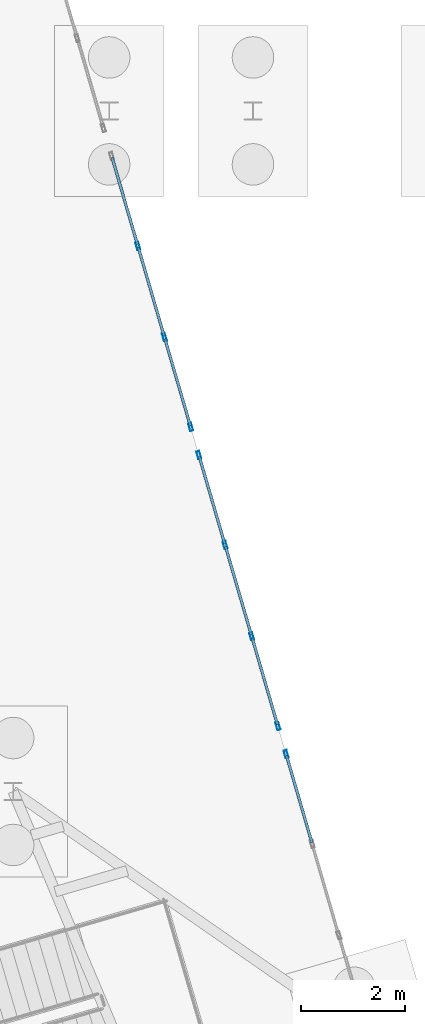
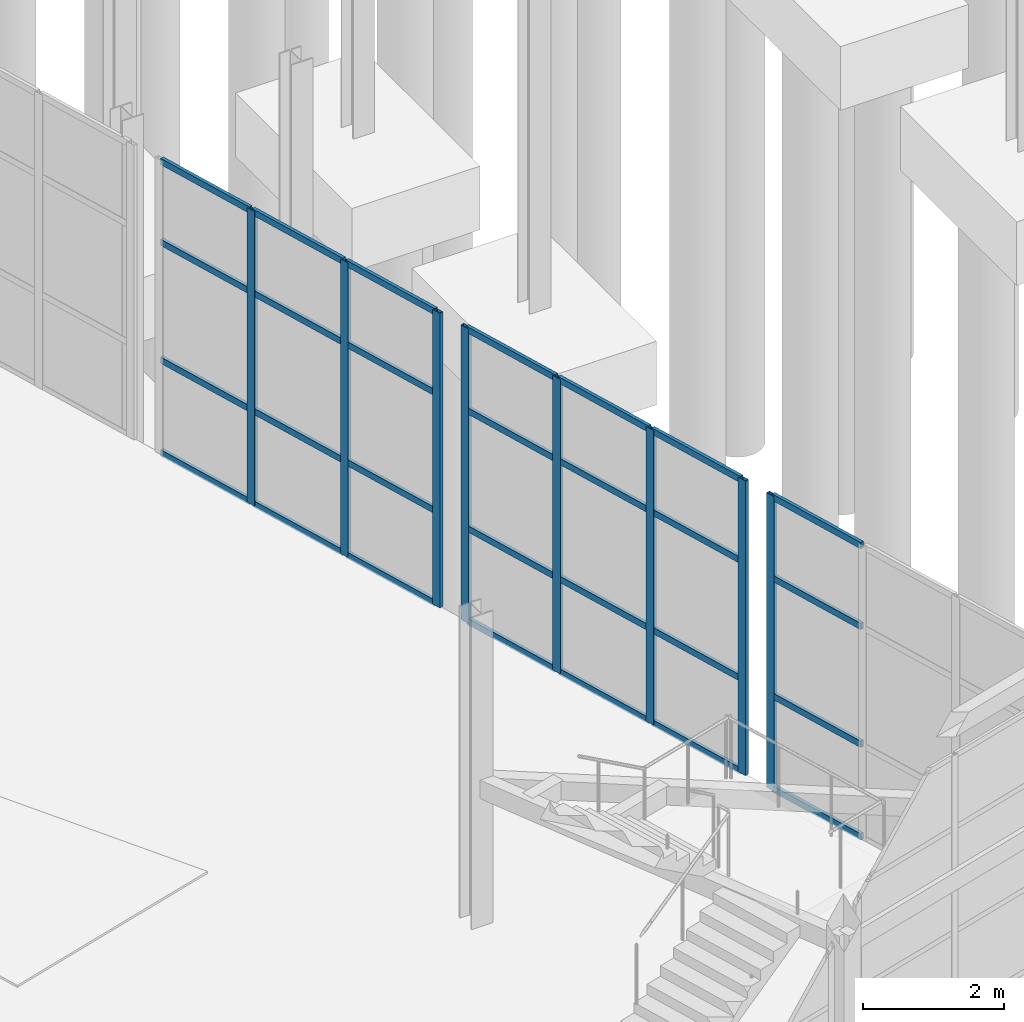
# One storey, part 36 of 90: 36 members, 3 elements without a shape of their own.
"""IFC4 building model written with IfcOpenShell, lengths in metres."""

from ifc_helpers import new_model, si_unit, direction, frame, origin, origin_2d, place, context, subcontext, project, spatial, hollow_rectangle, extrude, material, layer, layer_set, material_profile, profile_set, type_object, element, aggregate, save


model = new_model("IFC4")

# Units and contexts
model_context = context("Model", 3, precision=1e-05, world=origin(), true_north=direction((0.0, 1.0)))
body_context = subcontext(model_context, "Body", "Model", "MODEL_VIEW")
ifc_project = project(units=[si_unit("LENGTHUNIT", "METRE"), si_unit("AREAUNIT", "SQUARE_METRE"), si_unit("VOLUMEUNIT", "CUBIC_METRE"), si_unit("PLANEANGLEUNIT", "RADIAN"), si_unit("MASSUNIT", "GRAM", prefix="KILO")], contexts=[model_context])

# Site, building, storey
site_placement = place(None, origin())
site = spatial("IfcSite", under=ifc_project, at=site_placement, CompositionType="ELEMENT")
building_placement = place(site_placement, origin())
building = spatial("IfcBuilding", under=site, at=building_placement, Name="Canggui Botanical Conservatory", CompositionType="ELEMENT")
storey_placement = place(building_placement, origin())
storey = spatial("IfcBuildingStorey", under=building, at=storey_placement, Name="L01", CompositionType="ELEMENT", Elevation=0.0)

# Curtain wall, member
ifc_material = material(Name="Thermally Broken Aluminium", Category="aluminium")
ifc_layer = layer(ifc_material, 0.14990234375, Name="Thermally Broken Aluminium", Category="aluminium")
ifc_layer_set = layer_set([ifc_layer], Name="Thermally Broken Aluminium")
curtain_wall_type = type_object("IfcCurtainWallType", Name="CW-UNIT-C", PredefinedType="USERDEFINED", material=ifc_layer_set)
curtain_wall_1_placement = place(storey_placement, origin())
curtain_wall_1 = element("IfcCurtainWall", 1, at=curtain_wall_1_placement, inside=storey, type_object=curtain_wall_type, Name="Facade Curtain Wall CW-CONS-GABLE-N-01", ObjectType="UNITISED CURTAIN WALL", PredefinedType="USERDEFINED")
ifc_material_profile_1 = material_profile(ifc_material, hollow_rectangle(XDim=0.06005859375, YDim=0.14990234375, WallThickness=0.00341796875, at=origin_2d()), Name="CWM 60x150x3.5")
ifc_profile_set_1 = profile_set([ifc_material_profile_1], Name="Thermally Broken Aluminium")
member_type_1 = type_object("IfcMemberType", Name="CWM-03", PredefinedType="MULLION", material=ifc_profile_set_1)
member_1_placement = place(storey_placement, frame((70.23828125, 62.611083984375, 0.0), z_axis=(0.0, 0.0, 1.0), x_axis=(-0.960000000002, -0.279999999995, 0.0)))
member_1 = element("IfcMember", 2, at=member_1_placement, type_object=member_type_1, Name="CW-03 mullion 4", PredefinedType="MULLION", context=body_context, shape_type="SweptSolid", body=[
    extrude(hollow_rectangle(XDim=0.06005859375, YDim=0.14990234375, WallThickness=0.00341796875, at=origin_2d()), origin(), (0.0, 0.0, 1.0), 5.10009765625),
])

# Curtain wall, members
curtain_wall_2_placement = place(storey_placement, origin())
curtain_wall_2 = element("IfcCurtainWall", 3, at=curtain_wall_2_placement, inside=storey, type_object=curtain_wall_type, Name="Facade Curtain Wall CW-CONS-GABLE-N-02", ObjectType="UNITISED CURTAIN WALL", PredefinedType="USERDEFINED")
member_2_placement = place(storey_placement, frame((70.08154296875, 63.148681640625, 0.0), z_axis=(0.0, 0.0, 1.0), x_axis=(-0.960000000002, -0.279999999995, 0.0)))
member_2 = element("IfcMember", 4, at=member_2_placement, type_object=member_type_1, Name="CW-03 mullion 1", PredefinedType="MULLION", context=body_context, shape_type="SweptSolid", body=[
    extrude(hollow_rectangle(XDim=0.06005859375, YDim=0.14990234375, WallThickness=0.00341796875, at=origin_2d()), origin(), (0.0, 0.0, 1.0), 5.10009765625),
])
member_3_placement = place(storey_placement, frame((69.57666015625, 64.8798828125, 0.0), z_axis=(0.0, 0.0, 1.0), x_axis=(-0.960000000002, -0.279999999995, 0.0)))
member_3 = element("IfcMember", 5, at=member_3_placement, type_object=member_type_1, Name="CW-03 mullion 2", PredefinedType="MULLION", context=body_context, shape_type="SweptSolid", body=[
    extrude(hollow_rectangle(XDim=0.06005859375, YDim=0.14990234375, WallThickness=0.00341796875, at=origin_2d()), origin(), (0.0, 0.0, 1.0), 5.10009765625),
])
member_4_placement = place(storey_placement, frame((69.063232421875, 66.639892578125, 0.0), z_axis=(0.0, 0.0, 1.0), x_axis=(-0.960000000002, -0.279999999995, 0.0)))
member_4 = element("IfcMember", 6, at=member_4_placement, type_object=member_type_1, Name="CW-03 mullion 3", PredefinedType="MULLION", context=body_context, shape_type="SweptSolid", body=[
    extrude(hollow_rectangle(XDim=0.06005859375, YDim=0.14990234375, WallThickness=0.00341796875, at=origin_2d()), origin(), (0.0, 0.0, 1.0), 5.10009765625),
])
member_5_placement = place(storey_placement, frame((68.558349609375, 68.37109375, 0.0), z_axis=(0.0, 0.0, 1.0), x_axis=(-0.960000000002, -0.279999999995, 0.0)))
member_5 = element("IfcMember", 7, at=member_5_placement, type_object=member_type_1, Name="CW-03 mullion 4", PredefinedType="MULLION", context=body_context, shape_type="SweptSolid", body=[
    extrude(hollow_rectangle(XDim=0.06005859375, YDim=0.14990234375, WallThickness=0.00341796875, at=origin_2d()), origin(), (0.0, 0.0, 1.0), 5.10009765625),
])

curtain_wall_3_placement = place(storey_placement, origin())
curtain_wall_3 = element("IfcCurtainWall", 8, at=curtain_wall_3_placement, inside=storey, type_object=curtain_wall_type, Name="Facade Curtain Wall CW-CONS-GABLE-N-03", ObjectType="UNITISED CURTAIN WALL", PredefinedType="USERDEFINED")
member_6_placement = place(storey_placement, frame((68.401611328125, 68.90869140625, 0.0), z_axis=(0.0, 0.0, 1.0), x_axis=(-0.960000000002, -0.279999999995, 0.0)))
member_6 = element("IfcMember", 9, at=member_6_placement, type_object=member_type_1, Name="CW-03 mullion 1", PredefinedType="MULLION", context=body_context, shape_type="SweptSolid", body=[
    extrude(hollow_rectangle(XDim=0.06005859375, YDim=0.14990234375, WallThickness=0.00341796875, at=origin_2d()), origin(), (0.0, 0.0, 1.0), 5.10009765625),
])
member_7_placement = place(storey_placement, frame((67.896728515625, 70.639892578125, 0.0), z_axis=(0.0, 0.0, 1.0), x_axis=(-0.960000000002, -0.279999999995, 0.0)))
member_7 = element("IfcMember", 10, at=member_7_placement, type_object=member_type_1, Name="CW-03 mullion 2", PredefinedType="MULLION", context=body_context, shape_type="SweptSolid", body=[
    extrude(hollow_rectangle(XDim=0.06005859375, YDim=0.14990234375, WallThickness=0.00341796875, at=origin_2d()), origin(), (0.0, 0.0, 1.0), 5.10009765625),
])
member_8_placement = place(storey_placement, frame((67.38330078125, 72.39990234375, 0.0), z_axis=(0.0, 0.0, 1.0), x_axis=(-0.960000000002, -0.279999999995, 0.0)))
member_8 = element("IfcMember", 11, at=member_8_placement, type_object=member_type_1, Name="CW-03 mullion 3", PredefinedType="MULLION", context=body_context, shape_type="SweptSolid", body=[
    extrude(hollow_rectangle(XDim=0.06005859375, YDim=0.14990234375, WallThickness=0.00341796875, at=origin_2d()), origin(), (0.0, 0.0, 1.0), 5.10009765625),
])

# Member
ifc_material_profile_2 = material_profile(ifc_material, hollow_rectangle(XDim=0.054931640625, YDim=0.110107421875, WallThickness=0.0029296875, at=origin_2d()), Name="CWT 55x110x3")
ifc_profile_set_2 = profile_set([ifc_material_profile_2], Name="Thermally Broken Aluminium")
member_type_2 = type_object("IfcMemberType", Name="CWT-03", PredefinedType="USERDEFINED", material=ifc_profile_set_2)
member_9_placement = place(storey_placement, frame((70.73486328125, 60.90869140625, 0.027587890625), z_axis=(-0.279913966289, 0.960025088983, 0.0), x_axis=(-0.960025088983, -0.279913966289, 0.0)))
member_9 = element("IfcMember", 12, at=member_9_placement, type_object=member_type_2, Name="CW-03 transom 3.1", ObjectType="TRANSOM", PredefinedType="USERDEFINED", context=body_context, shape_type="SweptSolid", body=[
    extrude(hollow_rectangle(XDim=0.054931640625, YDim=0.110107421875, WallThickness=0.0029296875, at=origin_2d()), origin(), (0.0, 0.0, 1.0), 1.743408203125),
])

member_10_placement = place(storey_placement, frame((70.73486328125, 60.90869140625, 1.632080078125), z_axis=(-0.279913966289, 0.960025088983, 0.0), x_axis=(-0.960025088983, -0.279913966289, 0.0)))
member_10 = element("IfcMember", 13, at=member_10_placement, type_object=member_type_2, Name="CW-03 transom 3.2", ObjectType="TRANSOM", PredefinedType="USERDEFINED", context=body_context, shape_type="SweptSolid", body=[
    extrude(hollow_rectangle(XDim=0.054931640625, YDim=0.110107421875, WallThickness=0.0029296875, at=origin_2d()), origin(), (0.0, 0.0, 1.0), 1.743408203125),
])

member_11_placement = place(storey_placement, frame((70.73486328125, 60.90869140625, 3.672119140625), z_axis=(-0.279913966289, 0.960025088983, 0.0), x_axis=(-0.960025088983, -0.279913966289, 0.0)))
member_11 = element("IfcMember", 14, at=member_11_placement, type_object=member_type_2, Name="CW-03 transom 3.3", ObjectType="TRANSOM", PredefinedType="USERDEFINED", context=body_context, shape_type="SweptSolid", body=[
    extrude(hollow_rectangle(XDim=0.054931640625, YDim=0.110107421875, WallThickness=0.0029296875, at=origin_2d()), origin(), (0.0, 0.0, 1.0), 1.743408203125),
])

member_12_placement = place(storey_placement, frame((70.73486328125, 60.90869140625, 5.072509765625), z_axis=(-0.279913966289, 0.960025088983, 0.0), x_axis=(-0.960025088983, -0.279913966289, 0.0)))
member_12 = element("IfcMember", 15, at=member_12_placement, type_object=member_type_2, Name="CW-03 transom 3.4", ObjectType="TRANSOM", PredefinedType="USERDEFINED", context=body_context, shape_type="SweptSolid", body=[
    extrude(hollow_rectangle(XDim=0.054931640625, YDim=0.110107421875, WallThickness=0.0029296875, at=origin_2d()), origin(), (0.0, 0.0, 1.0), 1.743408203125),
])

aggregate(curtain_wall_1, [member_1, member_9, member_10, member_11, member_12])

member_13_placement = place(storey_placement, frame((70.0732421875, 63.177490234375, 0.027587890625), z_axis=(-0.280043014326, 0.959987453109, 0.0), x_axis=(-0.959987453109, -0.280043014326, 0.0)))
member_13 = element("IfcMember", 16, at=member_13_placement, type_object=member_type_2, Name="CW-03 transom 1.1", ObjectType="TRANSOM", PredefinedType="USERDEFINED", context=body_context, shape_type="SweptSolid", body=[
    extrude(hollow_rectangle(XDim=0.054931640625, YDim=0.110107421875, WallThickness=0.0029296875, at=origin_2d()), origin(), (0.0, 0.0, 1.0), 1.74365234375),
])

member_14_placement = place(storey_placement, frame((70.0732421875, 63.177490234375, 1.632080078125), z_axis=(-0.280043014326, 0.959987453109, 0.0), x_axis=(-0.959987453109, -0.280043014326, 0.0)))
member_14 = element("IfcMember", 17, at=member_14_placement, type_object=member_type_2, Name="CW-03 transom 1.2", ObjectType="TRANSOM", PredefinedType="USERDEFINED", context=body_context, shape_type="SweptSolid", body=[
    extrude(hollow_rectangle(XDim=0.054931640625, YDim=0.110107421875, WallThickness=0.0029296875, at=origin_2d()), origin(), (0.0, 0.0, 1.0), 1.74365234375),
])

member_15_placement = place(storey_placement, frame((70.0732421875, 63.177490234375, 3.672119140625), z_axis=(-0.280043014326, 0.959987453109, 0.0), x_axis=(-0.959987453109, -0.280043014326, 0.0)))
member_15 = element("IfcMember", 18, at=member_15_placement, type_object=member_type_2, Name="CW-03 transom 1.3", ObjectType="TRANSOM", PredefinedType="USERDEFINED", context=body_context, shape_type="SweptSolid", body=[
    extrude(hollow_rectangle(XDim=0.054931640625, YDim=0.110107421875, WallThickness=0.0029296875, at=origin_2d()), origin(), (0.0, 0.0, 1.0), 1.74365234375),
])

member_16_placement = place(storey_placement, frame((70.0732421875, 63.177490234375, 5.072509765625), z_axis=(-0.280043014326, 0.959987453109, 0.0), x_axis=(-0.959987453109, -0.280043014326, 0.0)))
member_16 = element("IfcMember", 19, at=member_16_placement, type_object=member_type_2, Name="CW-03 transom 1.4", ObjectType="TRANSOM", PredefinedType="USERDEFINED", context=body_context, shape_type="SweptSolid", body=[
    extrude(hollow_rectangle(XDim=0.054931640625, YDim=0.110107421875, WallThickness=0.0029296875, at=origin_2d()), origin(), (0.0, 0.0, 1.0), 1.74365234375),
])

member_17_placement = place(storey_placement, frame((69.568359375, 64.90869140625, 0.027587890625), z_axis=(-0.280026433067, 0.95999228996, 0.0), x_axis=(-0.95999228996, -0.280026433067, 0.0)))
member_17 = element("IfcMember", 20, at=member_17_placement, type_object=member_type_2, Name="CW-03 transom 2.1", ObjectType="TRANSOM", PredefinedType="USERDEFINED", context=body_context, shape_type="SweptSolid", body=[
    extrude(hollow_rectangle(XDim=0.054931640625, YDim=0.110107421875, WallThickness=0.0029296875, at=origin_2d()), origin(), (0.0, 0.0, 1.0), 1.7734375),
])

member_18_placement = place(storey_placement, frame((69.568359375, 64.90869140625, 1.632080078125), z_axis=(-0.280026433067, 0.95999228996, 0.0), x_axis=(-0.95999228996, -0.280026433067, 0.0)))
member_18 = element("IfcMember", 21, at=member_18_placement, type_object=member_type_2, Name="CW-03 transom 2.2", ObjectType="TRANSOM", PredefinedType="USERDEFINED", context=body_context, shape_type="SweptSolid", body=[
    extrude(hollow_rectangle(XDim=0.054931640625, YDim=0.110107421875, WallThickness=0.0029296875, at=origin_2d()), origin(), (0.0, 0.0, 1.0), 1.7734375),
])

member_19_placement = place(storey_placement, frame((69.568359375, 64.90869140625, 3.672119140625), z_axis=(-0.280026433067, 0.95999228996, 0.0), x_axis=(-0.95999228996, -0.280026433067, 0.0)))
member_19 = element("IfcMember", 22, at=member_19_placement, type_object=member_type_2, Name="CW-03 transom 2.3", ObjectType="TRANSOM", PredefinedType="USERDEFINED", context=body_context, shape_type="SweptSolid", body=[
    extrude(hollow_rectangle(XDim=0.054931640625, YDim=0.110107421875, WallThickness=0.0029296875, at=origin_2d()), origin(), (0.0, 0.0, 1.0), 1.7734375),
])

member_20_placement = place(storey_placement, frame((69.568359375, 64.90869140625, 5.072509765625), z_axis=(-0.280026433067, 0.95999228996, 0.0), x_axis=(-0.95999228996, -0.280026433067, 0.0)))
member_20 = element("IfcMember", 23, at=member_20_placement, type_object=member_type_2, Name="CW-03 transom 2.4", ObjectType="TRANSOM", PredefinedType="USERDEFINED", context=body_context, shape_type="SweptSolid", body=[
    extrude(hollow_rectangle(XDim=0.054931640625, YDim=0.110107421875, WallThickness=0.0029296875, at=origin_2d()), origin(), (0.0, 0.0, 1.0), 1.7734375),
])

member_21_placement = place(storey_placement, frame((69.054931640625, 66.668701171875, 0.027587890625), z_axis=(-0.279951599808, 0.960014115399, 0.0), x_axis=(-0.960014115399, -0.279951599808, 0.0)))
member_21 = element("IfcMember", 24, at=member_21_placement, type_object=member_type_2, Name="CW-03 transom 3.1", ObjectType="TRANSOM", PredefinedType="USERDEFINED", context=body_context, shape_type="SweptSolid", body=[
    extrude(hollow_rectangle(XDim=0.054931640625, YDim=0.110107421875, WallThickness=0.0029296875, at=origin_2d()), origin(), (0.0, 0.0, 1.0), 1.743408203125),
])

member_22_placement = place(storey_placement, frame((69.054931640625, 66.668701171875, 1.632080078125), z_axis=(-0.279951599808, 0.960014115399, 0.0), x_axis=(-0.960014115399, -0.279951599808, 0.0)))
member_22 = element("IfcMember", 25, at=member_22_placement, type_object=member_type_2, Name="CW-03 transom 3.2", ObjectType="TRANSOM", PredefinedType="USERDEFINED", context=body_context, shape_type="SweptSolid", body=[
    extrude(hollow_rectangle(XDim=0.054931640625, YDim=0.110107421875, WallThickness=0.0029296875, at=origin_2d()), origin(), (0.0, 0.0, 1.0), 1.743408203125),
])

member_23_placement = place(storey_placement, frame((69.054931640625, 66.668701171875, 3.672119140625), z_axis=(-0.279951599808, 0.960014115399, 0.0), x_axis=(-0.960014115399, -0.279951599808, 0.0)))
member_23 = element("IfcMember", 26, at=member_23_placement, type_object=member_type_2, Name="CW-03 transom 3.3", ObjectType="TRANSOM", PredefinedType="USERDEFINED", context=body_context, shape_type="SweptSolid", body=[
    extrude(hollow_rectangle(XDim=0.054931640625, YDim=0.110107421875, WallThickness=0.0029296875, at=origin_2d()), origin(), (0.0, 0.0, 1.0), 1.743408203125),
])

member_24_placement = place(storey_placement, frame((69.054931640625, 66.668701171875, 5.072509765625), z_axis=(-0.279951599808, 0.960014115399, 0.0), x_axis=(-0.960014115399, -0.279951599808, 0.0)))
member_24 = element("IfcMember", 27, at=member_24_placement, type_object=member_type_2, Name="CW-03 transom 3.4", ObjectType="TRANSOM", PredefinedType="USERDEFINED", context=body_context, shape_type="SweptSolid", body=[
    extrude(hollow_rectangle(XDim=0.054931640625, YDim=0.110107421875, WallThickness=0.0029296875, at=origin_2d()), origin(), (0.0, 0.0, 1.0), 1.743408203125),
])

aggregate(curtain_wall_2, [member_2, member_3, member_4, member_5, member_13, member_14, member_15, member_16, member_17, member_18, member_19, member_20, member_21, member_22, member_23, member_24])

member_25_placement = place(storey_placement, frame((68.393310546875, 68.9375, 0.027587890625), z_axis=(-0.280080662242, 0.959976469836, 0.0), x_axis=(-0.959976469836, -0.280080662242, 0.0)))
member_25 = element("IfcMember", 28, at=member_25_placement, type_object=member_type_2, Name="CW-03 transom 1.1", ObjectType="TRANSOM", PredefinedType="USERDEFINED", context=body_context, shape_type="SweptSolid", body=[
    extrude(hollow_rectangle(XDim=0.054931640625, YDim=0.110107421875, WallThickness=0.0029296875, at=origin_2d()), origin(), (0.0, 0.0, 1.0), 1.743408203125),
])

member_26_placement = place(storey_placement, frame((68.393310546875, 68.9375, 1.632080078125), z_axis=(-0.280080662242, 0.959976469836, 0.0), x_axis=(-0.959976469836, -0.280080662242, 0.0)))
member_26 = element("IfcMember", 29, at=member_26_placement, type_object=member_type_2, Name="CW-03 transom 1.2", ObjectType="TRANSOM", PredefinedType="USERDEFINED", context=body_context, shape_type="SweptSolid", body=[
    extrude(hollow_rectangle(XDim=0.054931640625, YDim=0.110107421875, WallThickness=0.0029296875, at=origin_2d()), origin(), (0.0, 0.0, 1.0), 1.743408203125),
])

member_27_placement = place(storey_placement, frame((68.393310546875, 68.9375, 3.672119140625), z_axis=(-0.280080662242, 0.959976469836, 0.0), x_axis=(-0.959976469836, -0.280080662242, 0.0)))
member_27 = element("IfcMember", 30, at=member_27_placement, type_object=member_type_2, Name="CW-03 transom 1.3", ObjectType="TRANSOM", PredefinedType="USERDEFINED", context=body_context, shape_type="SweptSolid", body=[
    extrude(hollow_rectangle(XDim=0.054931640625, YDim=0.110107421875, WallThickness=0.0029296875, at=origin_2d()), origin(), (0.0, 0.0, 1.0), 1.743408203125),
])

member_28_placement = place(storey_placement, frame((68.393310546875, 68.9375, 5.072509765625), z_axis=(-0.280080662242, 0.959976469836, 0.0), x_axis=(-0.959976469836, -0.280080662242, 0.0)))
member_28 = element("IfcMember", 31, at=member_28_placement, type_object=member_type_2, Name="CW-03 transom 1.4", ObjectType="TRANSOM", PredefinedType="USERDEFINED", context=body_context, shape_type="SweptSolid", body=[
    extrude(hollow_rectangle(XDim=0.054931640625, YDim=0.110107421875, WallThickness=0.0029296875, at=origin_2d()), origin(), (0.0, 0.0, 1.0), 1.743408203125),
])

member_29_placement = place(storey_placement, frame((67.88818359375, 70.668701171875, 0.027587890625), z_axis=(-0.279899548536, 0.960029292641, 0.0), x_axis=(-0.960029292641, -0.279899548536, 0.0)))
member_29 = element("IfcMember", 32, at=member_29_placement, type_object=member_type_2, Name="CW-03 transom 2.1", ObjectType="TRANSOM", PredefinedType="USERDEFINED", context=body_context, shape_type="SweptSolid", body=[
    extrude(hollow_rectangle(XDim=0.054931640625, YDim=0.110107421875, WallThickness=0.0029296875, at=origin_2d()), origin(), (0.0, 0.0, 1.0), 1.773193359375),
])

member_30_placement = place(storey_placement, frame((67.88818359375, 70.668701171875, 1.632080078125), z_axis=(-0.279899548536, 0.960029292641, 0.0), x_axis=(-0.960029292641, -0.279899548536, 0.0)))
member_30 = element("IfcMember", 33, at=member_30_placement, type_object=member_type_2, Name="CW-03 transom 2.2", ObjectType="TRANSOM", PredefinedType="USERDEFINED", context=body_context, shape_type="SweptSolid", body=[
    extrude(hollow_rectangle(XDim=0.054931640625, YDim=0.110107421875, WallThickness=0.0029296875, at=origin_2d()), origin(), (0.0, 0.0, 1.0), 1.773193359375),
])

member_31_placement = place(storey_placement, frame((67.88818359375, 70.668701171875, 3.672119140625), z_axis=(-0.279899548536, 0.960029292641, 0.0), x_axis=(-0.960029292641, -0.279899548536, 0.0)))
member_31 = element("IfcMember", 34, at=member_31_placement, type_object=member_type_2, Name="CW-03 transom 2.3", ObjectType="TRANSOM", PredefinedType="USERDEFINED", context=body_context, shape_type="SweptSolid", body=[
    extrude(hollow_rectangle(XDim=0.054931640625, YDim=0.110107421875, WallThickness=0.0029296875, at=origin_2d()), origin(), (0.0, 0.0, 1.0), 1.773193359375),
])

member_32_placement = place(storey_placement, frame((67.88818359375, 70.668701171875, 5.072509765625), z_axis=(-0.279899548536, 0.960029292641, 0.0), x_axis=(-0.960029292641, -0.279899548536, 0.0)))
member_32 = element("IfcMember", 35, at=member_32_placement, type_object=member_type_2, Name="CW-03 transom 2.4", ObjectType="TRANSOM", PredefinedType="USERDEFINED", context=body_context, shape_type="SweptSolid", body=[
    extrude(hollow_rectangle(XDim=0.054931640625, YDim=0.110107421875, WallThickness=0.0029296875, at=origin_2d()), origin(), (0.0, 0.0, 1.0), 1.773193359375),
])

member_33_placement = place(storey_placement, frame((67.375, 72.4287109375, 0.027587890625), z_axis=(-0.280080662242, 0.959976469836, 0.0), x_axis=(-0.959976469836, -0.280080662242, 0.0)))
member_33 = element("IfcMember", 36, at=member_33_placement, type_object=member_type_2, Name="CW-03 transom 3.1", ObjectType="TRANSOM", PredefinedType="USERDEFINED", context=body_context, shape_type="SweptSolid", body=[
    extrude(hollow_rectangle(XDim=0.054931640625, YDim=0.110107421875, WallThickness=0.0029296875, at=origin_2d()), origin(), (0.0, 0.0, 1.0), 1.743408203125),
])

member_34_placement = place(storey_placement, frame((67.375, 72.4287109375, 1.632080078125), z_axis=(-0.280080662242, 0.959976469836, 0.0), x_axis=(-0.959976469836, -0.280080662242, 0.0)))
member_34 = element("IfcMember", 37, at=member_34_placement, type_object=member_type_2, Name="CW-03 transom 3.2", ObjectType="TRANSOM", PredefinedType="USERDEFINED", context=body_context, shape_type="SweptSolid", body=[
    extrude(hollow_rectangle(XDim=0.054931640625, YDim=0.110107421875, WallThickness=0.0029296875, at=origin_2d()), origin(), (0.0, 0.0, 1.0), 1.743408203125),
])

member_35_placement = place(storey_placement, frame((67.375, 72.4287109375, 3.672119140625), z_axis=(-0.280080662242, 0.959976469836, 0.0), x_axis=(-0.959976469836, -0.280080662242, 0.0)))
member_35 = element("IfcMember", 38, at=member_35_placement, type_object=member_type_2, Name="CW-03 transom 3.3", ObjectType="TRANSOM", PredefinedType="USERDEFINED", context=body_context, shape_type="SweptSolid", body=[
    extrude(hollow_rectangle(XDim=0.054931640625, YDim=0.110107421875, WallThickness=0.0029296875, at=origin_2d()), origin(), (0.0, 0.0, 1.0), 1.743408203125),
])

member_36_placement = place(storey_placement, frame((67.375, 72.4287109375, 5.072509765625), z_axis=(-0.280080662242, 0.959976469836, 0.0), x_axis=(-0.959976469836, -0.280080662242, 0.0)))
member_36 = element("IfcMember", 39, at=member_36_placement, type_object=member_type_2, Name="CW-03 transom 3.4", ObjectType="TRANSOM", PredefinedType="USERDEFINED", context=body_context, shape_type="SweptSolid", body=[
    extrude(hollow_rectangle(XDim=0.054931640625, YDim=0.110107421875, WallThickness=0.0029296875, at=origin_2d()), origin(), (0.0, 0.0, 1.0), 1.743408203125),
])

aggregate(curtain_wall_3, [member_6, member_7, member_8, member_25, member_26, member_27, member_28, member_29, member_30, member_31, member_32, member_33, member_34, member_35, member_36])

save(model, "model.ifc")
